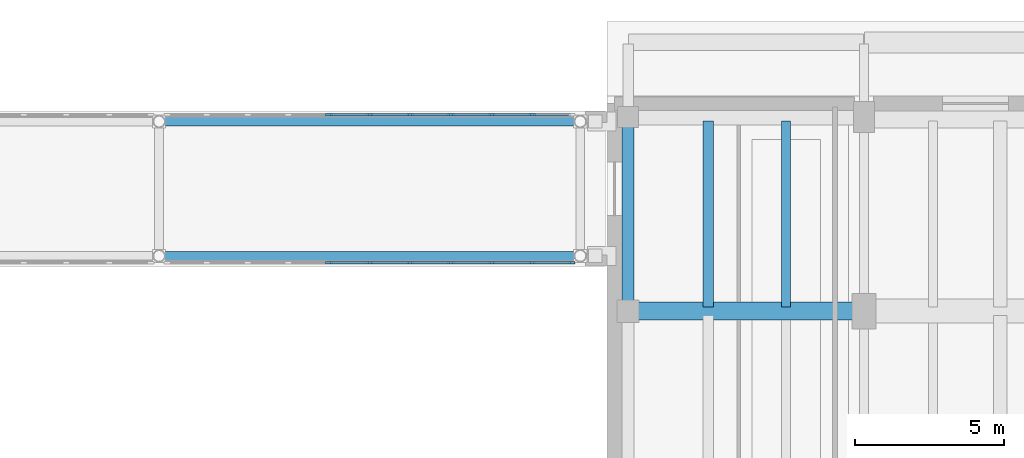
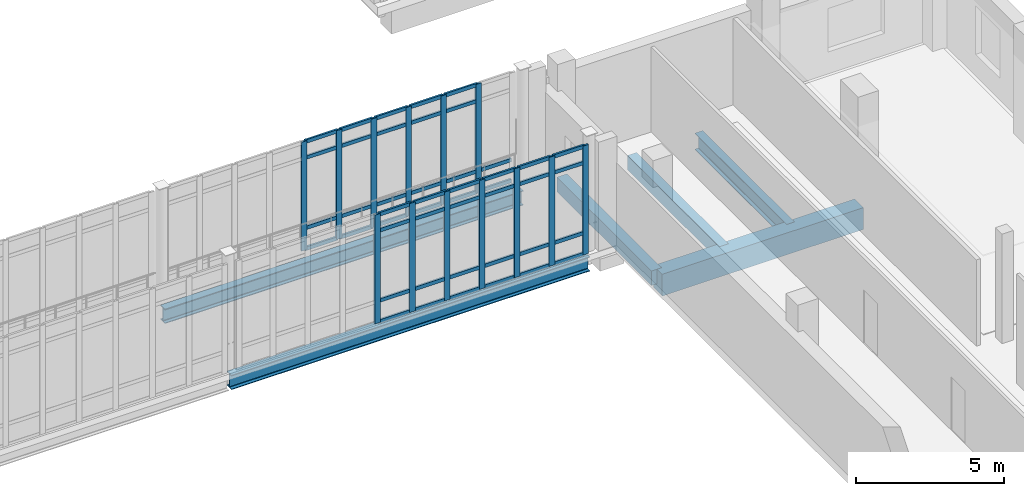
# One storey, part 24 of 89: 59 members, 6 beams, 2 elements without a shape of their own.
"""IFC4 building model written with IfcOpenShell, lengths in metres."""

import ifcopenshell
import ifcopenshell.guid

model = None  # the IFC model being written
_history = None  # IfcOwnerHistory: only IFC2X3 demands one
_inside = {}  # id of a spatial element -> (the spatial element, [elements in it])
_under = {}  # id of a project, library or spatial element -> (it, [spatial elements below it])
_declared = {}  # id of a project -> (the project, [libraries it declares])
_typed = {}  # id of a type object -> (the type object, [elements of that type])
_made_of = {}  # id of a material, layer set ... -> (it, [elements and type objects made of it])


def new_model(schema):
    """Start an empty IFC model of exactly this schema.

    Asked for "IFC4X3", IfcOpenShell would pick the latest addendum, in which some entities
    have other attributes; the version numbers below select the first issue.
    IFC2X3 requires an IfcOwnerHistory on every rooted entity: one is made here for all.
    """
    global model, _history
    if schema == "IFC4X3":
        model = ifcopenshell.file(schema_version=(4, 3, 0, 0))
    else:
        model = ifcopenshell.file(schema=schema)
    _inside.clear()
    _under.clear()
    _declared.clear()
    _typed.clear()
    _made_of.clear()
    _history = None
    if model.schema == "IFC2X3":
        org = make("IfcOrganization", Name="unknown")
        user = make(
            "IfcPersonAndOrganization",
            ThePerson=make("IfcPerson", FamilyName="unknown"),
            TheOrganization=org,
        )
        app = make(
            "IfcApplication",
            ApplicationDeveloper=org,
            Version="unknown",
            ApplicationFullName="unknown",
            ApplicationIdentifier="unknown",
        )
        _history = make(
            "IfcOwnerHistory",
            OwningUser=user,
            OwningApplication=app,
            ChangeAction="ADDED",
            CreationDate=0,
        )
    return model


def make(cls, **values):
    """One entity of the class cls with the attributes given. An attribute that is None is left unset."""
    return model.create_entity(
        cls, **{name: value for name, value in values.items() if value is not None}
    )


def rooted(cls, **values):
    """An entity with a GlobalId (a new one), such as an element, a storey or a relation."""
    return make(cls, GlobalId=ifcopenshell.guid.new(), OwnerHistory=_history, **values)


def si_unit(unit_type, name, prefix=None):
    """IfcSIUnit, for example si_unit("LENGTHUNIT", "METRE", prefix="MILLI")."""
    return make("IfcSIUnit", UnitType=unit_type, Prefix=prefix, Name=name)


def assignment(units):
    """IfcUnitAssignment: the units of a project."""
    return None if units is None else make("IfcUnitAssignment", Units=units)


def point(xyz):
    """IfcCartesianPoint."""
    return None if xyz is None else make("IfcCartesianPoint", Coordinates=xyz)


def direction(xyz):
    """IfcDirection."""
    return None if xyz is None else make("IfcDirection", DirectionRatios=xyz)


def frame(location, z_axis=None, x_axis=None):
    """IfcAxis2Placement3D, a coordinate frame: its origin and axes. An axis left out is left unset."""
    return make(
        "IfcAxis2Placement3D",
        Location=point(location),
        Axis=direction(z_axis),
        RefDirection=direction(x_axis),
    )


def frame_2d(location, x_axis=None):
    """IfcAxis2Placement2D, a coordinate frame in the plane: its origin and x axis."""
    return make(
        "IfcAxis2Placement2D", Location=point(location), RefDirection=direction(x_axis)
    )


def origin():
    """The frame at (0, 0, 0) with its axes left unset."""
    return frame((0.0, 0.0, 0.0))


def origin_2d():
    """The frame at (0, 0) in the plane with its x axis left unset."""
    return frame_2d((0.0, 0.0))


def place(relative_to, where):
    """IfcLocalPlacement: puts the frame where relative to a parent placement (None: the world)."""
    return make(
        "IfcLocalPlacement", PlacementRelTo=relative_to, RelativePlacement=where
    )


def context(
    kind, dimensions, precision=None, world=None, true_north=None, identifier=None
):
    """IfcGeometricRepresentationContext, for example the 3D "Model" context."""
    return make(
        "IfcGeometricRepresentationContext",
        ContextIdentifier=identifier,
        ContextType=kind,
        CoordinateSpaceDimension=dimensions,
        Precision=precision,
        WorldCoordinateSystem=world,
        TrueNorth=true_north,
    )


def subcontext(parent, identifier, kind, view, scale=None):
    """IfcGeometricRepresentationSubContext, for example "Body" below "Model"."""
    return make(
        "IfcGeometricRepresentationSubContext",
        ContextIdentifier=identifier,
        ContextType=kind,
        ParentContext=parent,
        TargetScale=scale,
        TargetView=view,
    )


def project(units=None, contexts=None):
    """IfcProject with its units and contexts."""
    return rooted(
        "IfcProject",
        Name="project",
        RepresentationContexts=contexts,
        UnitsInContext=assignment(units),
    )


def spatial(cls, under=None, at=None, **own):
    """A site, building, storey or space (cls), placed at a placement, below another one or the project."""
    s = rooted(cls, ObjectPlacement=at, **own)
    if under is not None:
        _under.setdefault(under.id(), (under, []))[1].append(s)
    return s


def profile(cls, at=None, kind="AREA", **sizes):
    """A parametric profile (cls). Its sizes go by their IFC names, for example OverallWidth=200.0."""
    return make(cls, ProfileType=kind, Position=at, **sizes)


def rectangle(**sizes):
    """IfcRectangleProfileDef."""
    return profile("IfcRectangleProfileDef", **sizes)


def i_section(**sizes):
    """IfcIShapeProfileDef."""
    return profile("IfcIShapeProfileDef", **sizes)


def extrude(swept, where, along, depth):
    """IfcExtrudedAreaSolid: the profile swept, set in the frame where, extruded along a direction by depth."""
    return make(
        "IfcExtrudedAreaSolid",
        SweptArea=swept,
        Position=where,
        ExtrudedDirection=direction(along),
        Depth=depth,
    )


def shape(context_of_items, identifier, shape_type, items):
    """IfcShapeRepresentation: the items that make up one representation, for example the "Body"."""
    return make(
        "IfcShapeRepresentation",
        ContextOfItems=context_of_items,
        RepresentationIdentifier=identifier,
        RepresentationType=shape_type,
        Items=items,
    )


def material(Name=None, Category=None):
    """IfcMaterial."""
    return make("IfcMaterial", Name=Name, Category=Category)


def material_profile(
    of_material, cross_section, Name=None, Category=None, Priority=None
):
    """IfcMaterialProfile: a cross section and its material."""
    return make(
        "IfcMaterialProfile",
        Name=Name,
        Material=of_material,
        Profile=cross_section,
        Priority=Priority,
        Category=Category,
    )


def profile_set(profiles, Name=None, composite=None):
    """IfcMaterialProfileSet."""
    return make(
        "IfcMaterialProfileSet",
        Name=Name,
        MaterialProfiles=profiles,
        CompositeProfile=composite,
    )


def made_of(thing, what):
    """Note that an element or type object is made of a material, layer set ...; save() writes the relation."""
    if what is not None:
        _made_of.setdefault(what.id(), (what, []))[1].append(thing)
    return thing


def type_object(cls, material=None, **own):
    """A type object (cls), such as IfcWallType, which elements share."""
    return made_of(rooted(cls, **own), material)


def element(
    cls,
    number,
    at=None,
    inside=None,
    cuts=None,
    type_object=None,
    material=None,
    context=None,
    identifier="Body",
    shape_type=None,
    held_by="IfcProductDefinitionShape",
    body=None,
    shapes=None,
    **own,
):
    """One element of the class cls, such as IfcWall. Its Tag is "e" and its number.

    at: its placement. inside: the storey or other place that contains it. cuts: it is an
    opening in that element (IfcRelVoidsElement). A single representation is given by context,
    identifier, shape_type and body (its items); several are given by shapes. held_by: the class
    of the entity that holds the representations. save() writes the other relations.
    """
    e = rooted(cls, Tag="e%d" % number, ObjectPlacement=at, **own)
    if body is not None:
        shapes = [shape(context, identifier, shape_type, body)]
    if shapes is not None:
        e.Representation = make(held_by, Representations=shapes)
    if inside is not None:
        _inside.setdefault(inside.id(), (inside, []))[1].append(e)
    if cuts is not None:
        rooted(
            "IfcRelVoidsElement", RelatingBuildingElement=cuts, RelatedOpeningElement=e
        )
    if type_object is not None:
        _typed.setdefault(type_object.id(), (type_object, []))[1].append(e)
    return made_of(e, material)


def aggregate(whole, parts):
    """IfcRelAggregates: a whole, such as a stair, and the parts it consists of."""
    return rooted("IfcRelAggregates", RelatingObject=whole, RelatedObjects=parts)


def save(model, path):
    """Write the relations noted so far, then the file.

    IfcRelAggregates (storeys below a building ...), IfcRelContainedInSpatialStructure (elements
    in a storey), IfcRelDefinesByType, IfcRelAssociatesMaterial and IfcRelDeclares: one each for
    every whole, place, type object, material and project.
    """
    for whole, parts in _under.values():
        aggregate(whole, parts)
    for where, things in _inside.values():
        rooted(
            "IfcRelContainedInSpatialStructure",
            RelatedElements=things,
            RelatingStructure=where,
        )
    for kind, things in _typed.values():
        rooted("IfcRelDefinesByType", RelatedObjects=things, RelatingType=kind)
    for what, things in _made_of.values():
        rooted("IfcRelAssociatesMaterial", RelatedObjects=things, RelatingMaterial=what)
    for by, libraries in _declared.values():
        rooted("IfcRelDeclares", RelatingContext=by, RelatedDefinitions=libraries)
    model.write(path)


model = new_model("IFC4")

# Units and contexts
model_context = context("Model", 3, precision=1e-05, world=origin(), true_north=direction((0.0, 1.0)))
body_context = subcontext(model_context, "Body", "Model", "MODEL_VIEW")
ifc_project = project(units=[si_unit("LENGTHUNIT", "METRE"), si_unit("AREAUNIT", "SQUARE_METRE"), si_unit("VOLUMEUNIT", "CUBIC_METRE"), si_unit("PLANEANGLEUNIT", "RADIAN"), si_unit("MASSUNIT", "GRAM", prefix="KILO")], contexts=[model_context])

# Site, building, storey
site_placement = place(None, origin())
site = spatial("IfcSite", under=ifc_project, at=site_placement, CompositionType="ELEMENT")
building_placement = place(site_placement, origin())
building = spatial("IfcBuilding", under=site, at=building_placement, Name="Soyqirgoq Riverine Aquarium", CompositionType="ELEMENT")
storey_placement = place(building_placement, frame((0.0, 0.0, 5.39990234375)))
storey = spatial("IfcBuildingStorey", under=building, at=storey_placement, Name="L02", CompositionType="ELEMENT", Elevation=5.39990234375)

# Beams
ifc_material_1 = material(Name="Concrete C40/50", Category="concrete")
ifc_material_profile_1 = material_profile(ifc_material_1, rectangle(XDim=0.35009765625, YDim=0.60009765625, at=origin_2d()), Name="RC 350x600")
ifc_profile_set_1 = profile_set([ifc_material_profile_1], Name="Concrete C40/50")
beam_type_1 = type_object("IfcBeamType", Name="Beam_RC_350x600", PredefinedType="JOIST", material=ifc_profile_set_1)
beam_1_placement = place(storey_placement, frame((117.385986328125, 38.43994140625, -0.64990234375), z_axis=(0.0, 1.0, 0.0), x_axis=(-1.0, 0.0, 0.0)))
element("IfcBeam", 1, at=beam_1_placement, inside=storey, type_object=beam_type_1, Name="V6 L02 Secondary Bay Joist 1150", PredefinedType="JOIST", context=body_context, shape_type="SweptSolid", body=[
    extrude(rectangle(XDim=0.35009765625, YDim=0.60009765625, at=origin_2d()), origin(), (0.0, 0.0, 1.0), 6.219970703125),
])
ifc_material_2 = material(Name="Concrete C40/50", Category="concrete")
ifc_material_profile_2 = material_profile(ifc_material_2, rectangle(XDim=0.39990234375, YDim=0.60009765625, at=origin_2d()), Name="RC 400x600")
ifc_profile_set_2 = profile_set([ifc_material_profile_2], Name="Concrete C40/50")
beam_type_2 = type_object("IfcBeamType", Name="Beam_RC_400x600", PredefinedType="JOIST", material=ifc_profile_set_2)
beam_2_placement = place(storey_placement, frame((114.699951171875, 38.35009765625, -0.64990234375), z_axis=(0.0, 1.0, 0.0), x_axis=(-1.0, 0.0, 0.0)))
element("IfcBeam", 2, at=beam_2_placement, inside=storey, type_object=beam_type_2, Name="V6 L02 North-South Frame Beam 1090", PredefinedType="JOIST", context=body_context, shape_type="SweptSolid", body=[
    extrude(rectangle(XDim=0.39990234375, YDim=0.60009765625, at=origin_2d()), origin(), (0.0, 0.0, 1.0), 6.39990234375),
])

# Curtain wall, members
ifc_material_3 = material(Name="Laminated solar-control bridge curtain wall", Category="aluminium")
curtain_wall_type = type_object("IfcCurtainWallType", Name="CW_Bridge_Concourse", PredefinedType="NOTDEFINED", material=ifc_material_3)
curtain_wall_1_placement = place(storey_placement, origin())
curtain_wall_1 = element("IfcCurtainWall", 3, at=curtain_wall_1_placement, inside=storey, type_object=curtain_wall_type, Name="BR-1 L02 Curtain Wall 137", PredefinedType="NOTDEFINED")
ifc_material_4 = material(Name="Anodised aluminium 6063-T6", Category="aluminium")
ifc_material_profile_3 = material_profile(ifc_material_4, rectangle(XDim=0.080078125, YDim=0.219970703125, at=origin_2d()), Name="ALU-M 80x220")
ifc_profile_set_3 = profile_set([ifc_material_profile_3], Name="Anodised aluminium 6063-T6")
member_type_1 = type_object("IfcMemberType", Name="CWMullion_80x220", PredefinedType="MULLION", material=ifc_profile_set_3)
member_1_placement = place(storey_placement, frame((104.68798828125, 39.919921875, 0.0), z_axis=(0.0, 0.0, 1.0), x_axis=(0.0, 1.0, 0.0)))
member_1 = element("IfcMember", 4, at=member_1_placement, type_object=member_type_1, Name="CW-06 mullion 5", PredefinedType="MULLION", context=body_context, shape_type="SweptSolid", body=[
    extrude(rectangle(XDim=0.080078125, YDim=0.219970703125, at=origin_2d()), origin(), (0.0, 0.0, 1.0), 4.5),
])
member_2_placement = place(storey_placement, frame((106.050048828125, 39.919921875, 0.0), z_axis=(0.0, 0.0, 1.0), x_axis=(0.0, 1.0, 0.0)))
member_2 = element("IfcMember", 5, at=member_2_placement, type_object=member_type_1, Name="CW-06 mullion 6", PredefinedType="MULLION", context=body_context, shape_type="SweptSolid", body=[
    extrude(rectangle(XDim=0.080078125, YDim=0.219970703125, at=origin_2d()), origin(), (0.0, 0.0, 1.0), 4.5),
])
member_3_placement = place(storey_placement, frame((107.412109375, 39.919921875, 0.0), z_axis=(0.0, 0.0, 1.0), x_axis=(0.0, 1.0, 0.0)))
member_3 = element("IfcMember", 6, at=member_3_placement, type_object=member_type_1, Name="CW-06 mullion 7", PredefinedType="MULLION", context=body_context, shape_type="SweptSolid", body=[
    extrude(rectangle(XDim=0.080078125, YDim=0.219970703125, at=origin_2d()), origin(), (0.0, 0.0, 1.0), 4.5),
])
member_4_placement = place(storey_placement, frame((108.77392578125, 39.919921875, 0.0), z_axis=(0.0, 0.0, 1.0), x_axis=(0.0, 1.0, 0.0)))
member_4 = element("IfcMember", 7, at=member_4_placement, type_object=member_type_1, Name="CW-06 mullion 8", PredefinedType="MULLION", context=body_context, shape_type="SweptSolid", body=[
    extrude(rectangle(XDim=0.080078125, YDim=0.219970703125, at=origin_2d()), origin(), (0.0, 0.0, 1.0), 4.5),
])
member_5_placement = place(storey_placement, frame((110.135986328125, 39.919921875, 0.0), z_axis=(0.0, 0.0, 1.0), x_axis=(0.0, 1.0, 0.0)))
member_5 = element("IfcMember", 8, at=member_5_placement, type_object=member_type_1, Name="CW-06 mullion 9", PredefinedType="MULLION", context=body_context, shape_type="SweptSolid", body=[
    extrude(rectangle(XDim=0.080078125, YDim=0.219970703125, at=origin_2d()), origin(), (0.0, 0.0, 1.0), 4.5),
])
member_6_placement = place(storey_placement, frame((111.498046875, 39.919921875, 0.0), z_axis=(0.0, 0.0, 1.0), x_axis=(0.0, 1.0, 0.0)))
member_6 = element("IfcMember", 9, at=member_6_placement, type_object=member_type_1, Name="CW-06 mullion 10", PredefinedType="MULLION", context=body_context, shape_type="SweptSolid", body=[
    extrude(rectangle(XDim=0.080078125, YDim=0.219970703125, at=origin_2d()), origin(), (0.0, 0.0, 1.0), 4.5),
])
member_7_placement = place(storey_placement, frame((112.820068359375, 39.919921875, 0.0), z_axis=(0.0, 0.0, 1.0), x_axis=(0.0, 1.0, 0.0)))
member_7 = element("IfcMember", 10, at=member_7_placement, type_object=member_type_1, Name="CW-06 mullion 11", PredefinedType="MULLION", context=body_context, shape_type="SweptSolid", body=[
    extrude(rectangle(XDim=0.080078125, YDim=0.219970703125, at=origin_2d()), origin(), (0.0, 0.0, 1.0), 4.5),
])

curtain_wall_2_placement = place(storey_placement, origin())
curtain_wall_2 = element("IfcCurtainWall", 11, at=curtain_wall_2_placement, inside=storey, type_object=curtain_wall_type, Name="BR-1 L02 Curtain Wall 140", PredefinedType="NOTDEFINED")
member_8_placement = place(storey_placement, frame((104.68798828125, 44.8798828125, 0.0), z_axis=(0.0, 0.0, 1.0), x_axis=(0.0, 1.0, 0.0)))
member_8 = element("IfcMember", 12, at=member_8_placement, type_object=member_type_1, Name="CW-06 mullion 5", PredefinedType="MULLION", context=body_context, shape_type="SweptSolid", body=[
    extrude(rectangle(XDim=0.080078125, YDim=0.219970703125, at=origin_2d()), origin(), (0.0, 0.0, 1.0), 4.5),
])
member_9_placement = place(storey_placement, frame((106.050048828125, 44.8798828125, 0.0), z_axis=(0.0, 0.0, 1.0), x_axis=(0.0, 1.0, 0.0)))
member_9 = element("IfcMember", 13, at=member_9_placement, type_object=member_type_1, Name="CW-06 mullion 6", PredefinedType="MULLION", context=body_context, shape_type="SweptSolid", body=[
    extrude(rectangle(XDim=0.080078125, YDim=0.219970703125, at=origin_2d()), origin(), (0.0, 0.0, 1.0), 4.5),
])
member_10_placement = place(storey_placement, frame((107.412109375, 44.8798828125, 0.0), z_axis=(0.0, 0.0, 1.0), x_axis=(0.0, 1.0, 0.0)))
member_10 = element("IfcMember", 14, at=member_10_placement, type_object=member_type_1, Name="CW-06 mullion 7", PredefinedType="MULLION", context=body_context, shape_type="SweptSolid", body=[
    extrude(rectangle(XDim=0.080078125, YDim=0.219970703125, at=origin_2d()), origin(), (0.0, 0.0, 1.0), 4.5),
])
member_11_placement = place(storey_placement, frame((108.77392578125, 44.8798828125, 0.0), z_axis=(0.0, 0.0, 1.0), x_axis=(0.0, 1.0, 0.0)))
member_11 = element("IfcMember", 15, at=member_11_placement, type_object=member_type_1, Name="CW-06 mullion 8", PredefinedType="MULLION", context=body_context, shape_type="SweptSolid", body=[
    extrude(rectangle(XDim=0.080078125, YDim=0.219970703125, at=origin_2d()), origin(), (0.0, 0.0, 1.0), 4.5),
])
member_12_placement = place(storey_placement, frame((110.135986328125, 44.8798828125, 0.0), z_axis=(0.0, 0.0, 1.0), x_axis=(0.0, 1.0, 0.0)))
member_12 = element("IfcMember", 16, at=member_12_placement, type_object=member_type_1, Name="CW-06 mullion 9", PredefinedType="MULLION", context=body_context, shape_type="SweptSolid", body=[
    extrude(rectangle(XDim=0.080078125, YDim=0.219970703125, at=origin_2d()), origin(), (0.0, 0.0, 1.0), 4.5),
])
member_13_placement = place(storey_placement, frame((111.498046875, 44.8798828125, 0.0), z_axis=(0.0, 0.0, 1.0), x_axis=(0.0, 1.0, 0.0)))
member_13 = element("IfcMember", 17, at=member_13_placement, type_object=member_type_1, Name="CW-06 mullion 10", PredefinedType="MULLION", context=body_context, shape_type="SweptSolid", body=[
    extrude(rectangle(XDim=0.080078125, YDim=0.219970703125, at=origin_2d()), origin(), (0.0, 0.0, 1.0), 4.5),
])

# Member
ifc_material_5 = material(Name="Anodised aluminium 6063-T6", Category="aluminium")
ifc_material_profile_4 = material_profile(ifc_material_5, rectangle(XDim=0.074951171875, YDim=0.14990234375, at=origin_2d()), Name="ALU-T 75x150")
ifc_profile_set_4 = profile_set([ifc_material_profile_4], Name="Anodised aluminium 6063-T6")
member_type_2 = type_object("IfcMemberType", Name="CWTransom_75x150", PredefinedType="USERDEFINED", material=ifc_profile_set_4)
member_14_placement = place(storey_placement, frame((104.72802734375, 39.919921875, 0.03759765625), z_axis=(1.0, 0.0, 0.0), x_axis=(0.0, 1.0, 0.0)))
member_14 = element("IfcMember", 18, at=member_14_placement, type_object=member_type_2, Name="CW-06 transom 5.1", ObjectType="TRANSOM", PredefinedType="USERDEFINED", context=body_context, shape_type="SweptSolid", body=[
    extrude(rectangle(XDim=0.074951171875, YDim=0.14990234375, at=origin_2d()), origin(), (0.0, 0.0, 1.0), 1.281982421875),
])

member_15_placement = place(storey_placement, frame((104.72802734375, 39.919921875, 0.900146484375), z_axis=(1.0, 0.0, 0.0), x_axis=(0.0, 1.0, 0.0)))
member_15 = element("IfcMember", 19, at=member_15_placement, type_object=member_type_2, Name="CW-06 transom 5.2", ObjectType="TRANSOM", PredefinedType="USERDEFINED", context=body_context, shape_type="SweptSolid", body=[
    extrude(rectangle(XDim=0.074951171875, YDim=0.14990234375, at=origin_2d()), origin(), (0.0, 0.0, 1.0), 1.281982421875),
])

member_16_placement = place(storey_placement, frame((104.72802734375, 39.919921875, 3.800048828125), z_axis=(1.0, 0.0, 0.0), x_axis=(0.0, 1.0, 0.0)))
member_16 = element("IfcMember", 20, at=member_16_placement, type_object=member_type_2, Name="CW-06 transom 5.3", ObjectType="TRANSOM", PredefinedType="USERDEFINED", context=body_context, shape_type="SweptSolid", body=[
    extrude(rectangle(XDim=0.074951171875, YDim=0.14990234375, at=origin_2d()), origin(), (0.0, 0.0, 1.0), 1.281982421875),
])

member_17_placement = place(storey_placement, frame((104.72802734375, 39.919921875, 4.462646484375), z_axis=(1.0, 0.0, 0.0), x_axis=(0.0, 1.0, 0.0)))
member_17 = element("IfcMember", 21, at=member_17_placement, type_object=member_type_2, Name="CW-06 transom 5.4", ObjectType="TRANSOM", PredefinedType="USERDEFINED", context=body_context, shape_type="SweptSolid", body=[
    extrude(rectangle(XDim=0.074951171875, YDim=0.14990234375, at=origin_2d()), origin(), (0.0, 0.0, 1.0), 1.281982421875),
])

member_18_placement = place(storey_placement, frame((106.090087890625, 39.919921875, 0.03759765625), z_axis=(1.0, 0.0, 0.0), x_axis=(0.0, 1.0, 0.0)))
member_18 = element("IfcMember", 22, at=member_18_placement, type_object=member_type_2, Name="CW-06 transom 6.1", ObjectType="TRANSOM", PredefinedType="USERDEFINED", context=body_context, shape_type="SweptSolid", body=[
    extrude(rectangle(XDim=0.074951171875, YDim=0.14990234375, at=origin_2d()), origin(), (0.0, 0.0, 1.0), 1.281982421875),
])

member_19_placement = place(storey_placement, frame((106.090087890625, 39.919921875, 0.900146484375), z_axis=(1.0, 0.0, 0.0), x_axis=(0.0, 1.0, 0.0)))
member_19 = element("IfcMember", 23, at=member_19_placement, type_object=member_type_2, Name="CW-06 transom 6.2", ObjectType="TRANSOM", PredefinedType="USERDEFINED", context=body_context, shape_type="SweptSolid", body=[
    extrude(rectangle(XDim=0.074951171875, YDim=0.14990234375, at=origin_2d()), origin(), (0.0, 0.0, 1.0), 1.281982421875),
])

member_20_placement = place(storey_placement, frame((106.090087890625, 39.919921875, 3.800048828125), z_axis=(1.0, 0.0, 0.0), x_axis=(0.0, 1.0, 0.0)))
member_20 = element("IfcMember", 24, at=member_20_placement, type_object=member_type_2, Name="CW-06 transom 6.3", ObjectType="TRANSOM", PredefinedType="USERDEFINED", context=body_context, shape_type="SweptSolid", body=[
    extrude(rectangle(XDim=0.074951171875, YDim=0.14990234375, at=origin_2d()), origin(), (0.0, 0.0, 1.0), 1.281982421875),
])

member_21_placement = place(storey_placement, frame((106.090087890625, 39.919921875, 4.462646484375), z_axis=(1.0, 0.0, 0.0), x_axis=(0.0, 1.0, 0.0)))
member_21 = element("IfcMember", 25, at=member_21_placement, type_object=member_type_2, Name="CW-06 transom 6.4", ObjectType="TRANSOM", PredefinedType="USERDEFINED", context=body_context, shape_type="SweptSolid", body=[
    extrude(rectangle(XDim=0.074951171875, YDim=0.14990234375, at=origin_2d()), origin(), (0.0, 0.0, 1.0), 1.281982421875),
])

member_22_placement = place(storey_placement, frame((107.451904296875, 39.919921875, 0.03759765625), z_axis=(1.0, 0.0, 0.0), x_axis=(0.0, 1.0, 0.0)))
member_22 = element("IfcMember", 26, at=member_22_placement, type_object=member_type_2, Name="CW-06 transom 7.1", ObjectType="TRANSOM", PredefinedType="USERDEFINED", context=body_context, shape_type="SweptSolid", body=[
    extrude(rectangle(XDim=0.074951171875, YDim=0.14990234375, at=origin_2d()), origin(), (0.0, 0.0, 1.0), 1.281982421875),
])

member_23_placement = place(storey_placement, frame((107.451904296875, 39.919921875, 0.900146484375), z_axis=(1.0, 0.0, 0.0), x_axis=(0.0, 1.0, 0.0)))
member_23 = element("IfcMember", 27, at=member_23_placement, type_object=member_type_2, Name="CW-06 transom 7.2", ObjectType="TRANSOM", PredefinedType="USERDEFINED", context=body_context, shape_type="SweptSolid", body=[
    extrude(rectangle(XDim=0.074951171875, YDim=0.14990234375, at=origin_2d()), origin(), (0.0, 0.0, 1.0), 1.281982421875),
])

member_24_placement = place(storey_placement, frame((107.451904296875, 39.919921875, 3.800048828125), z_axis=(1.0, 0.0, 0.0), x_axis=(0.0, 1.0, 0.0)))
member_24 = element("IfcMember", 28, at=member_24_placement, type_object=member_type_2, Name="CW-06 transom 7.3", ObjectType="TRANSOM", PredefinedType="USERDEFINED", context=body_context, shape_type="SweptSolid", body=[
    extrude(rectangle(XDim=0.074951171875, YDim=0.14990234375, at=origin_2d()), origin(), (0.0, 0.0, 1.0), 1.281982421875),
])

member_25_placement = place(storey_placement, frame((107.451904296875, 39.919921875, 4.462646484375), z_axis=(1.0, 0.0, 0.0), x_axis=(0.0, 1.0, 0.0)))
member_25 = element("IfcMember", 29, at=member_25_placement, type_object=member_type_2, Name="CW-06 transom 7.4", ObjectType="TRANSOM", PredefinedType="USERDEFINED", context=body_context, shape_type="SweptSolid", body=[
    extrude(rectangle(XDim=0.074951171875, YDim=0.14990234375, at=origin_2d()), origin(), (0.0, 0.0, 1.0), 1.281982421875),
])

member_26_placement = place(storey_placement, frame((108.81396484375, 39.919921875, 0.03759765625), z_axis=(1.0, 0.0, 0.0), x_axis=(0.0, 1.0, 0.0)))
member_26 = element("IfcMember", 30, at=member_26_placement, type_object=member_type_2, Name="CW-06 transom 8.1", ObjectType="TRANSOM", PredefinedType="USERDEFINED", context=body_context, shape_type="SweptSolid", body=[
    extrude(rectangle(XDim=0.074951171875, YDim=0.14990234375, at=origin_2d()), origin(), (0.0, 0.0, 1.0), 1.281982421875),
])

member_27_placement = place(storey_placement, frame((108.81396484375, 39.919921875, 0.900146484375), z_axis=(1.0, 0.0, 0.0), x_axis=(0.0, 1.0, 0.0)))
member_27 = element("IfcMember", 31, at=member_27_placement, type_object=member_type_2, Name="CW-06 transom 8.2", ObjectType="TRANSOM", PredefinedType="USERDEFINED", context=body_context, shape_type="SweptSolid", body=[
    extrude(rectangle(XDim=0.074951171875, YDim=0.14990234375, at=origin_2d()), origin(), (0.0, 0.0, 1.0), 1.281982421875),
])

member_28_placement = place(storey_placement, frame((108.81396484375, 39.919921875, 3.800048828125), z_axis=(1.0, 0.0, 0.0), x_axis=(0.0, 1.0, 0.0)))
member_28 = element("IfcMember", 32, at=member_28_placement, type_object=member_type_2, Name="CW-06 transom 8.3", ObjectType="TRANSOM", PredefinedType="USERDEFINED", context=body_context, shape_type="SweptSolid", body=[
    extrude(rectangle(XDim=0.074951171875, YDim=0.14990234375, at=origin_2d()), origin(), (0.0, 0.0, 1.0), 1.281982421875),
])

member_29_placement = place(storey_placement, frame((108.81396484375, 39.919921875, 4.462646484375), z_axis=(1.0, 0.0, 0.0), x_axis=(0.0, 1.0, 0.0)))
member_29 = element("IfcMember", 33, at=member_29_placement, type_object=member_type_2, Name="CW-06 transom 8.4", ObjectType="TRANSOM", PredefinedType="USERDEFINED", context=body_context, shape_type="SweptSolid", body=[
    extrude(rectangle(XDim=0.074951171875, YDim=0.14990234375, at=origin_2d()), origin(), (0.0, 0.0, 1.0), 1.281982421875),
])

member_30_placement = place(storey_placement, frame((110.176025390625, 39.919921875, 0.03759765625), z_axis=(1.0, 0.0, 0.0), x_axis=(0.0, 1.0, 0.0)))
member_30 = element("IfcMember", 34, at=member_30_placement, type_object=member_type_2, Name="CW-06 transom 9.1", ObjectType="TRANSOM", PredefinedType="USERDEFINED", context=body_context, shape_type="SweptSolid", body=[
    extrude(rectangle(XDim=0.074951171875, YDim=0.14990234375, at=origin_2d()), origin(), (0.0, 0.0, 1.0), 1.281982421875),
])

member_31_placement = place(storey_placement, frame((110.176025390625, 39.919921875, 0.900146484375), z_axis=(1.0, 0.0, 0.0), x_axis=(0.0, 1.0, 0.0)))
member_31 = element("IfcMember", 35, at=member_31_placement, type_object=member_type_2, Name="CW-06 transom 9.2", ObjectType="TRANSOM", PredefinedType="USERDEFINED", context=body_context, shape_type="SweptSolid", body=[
    extrude(rectangle(XDim=0.074951171875, YDim=0.14990234375, at=origin_2d()), origin(), (0.0, 0.0, 1.0), 1.281982421875),
])

member_32_placement = place(storey_placement, frame((110.176025390625, 39.919921875, 3.800048828125), z_axis=(1.0, 0.0, 0.0), x_axis=(0.0, 1.0, 0.0)))
member_32 = element("IfcMember", 36, at=member_32_placement, type_object=member_type_2, Name="CW-06 transom 9.3", ObjectType="TRANSOM", PredefinedType="USERDEFINED", context=body_context, shape_type="SweptSolid", body=[
    extrude(rectangle(XDim=0.074951171875, YDim=0.14990234375, at=origin_2d()), origin(), (0.0, 0.0, 1.0), 1.281982421875),
])

member_33_placement = place(storey_placement, frame((110.176025390625, 39.919921875, 4.462646484375), z_axis=(1.0, 0.0, 0.0), x_axis=(0.0, 1.0, 0.0)))
member_33 = element("IfcMember", 37, at=member_33_placement, type_object=member_type_2, Name="CW-06 transom 9.4", ObjectType="TRANSOM", PredefinedType="USERDEFINED", context=body_context, shape_type="SweptSolid", body=[
    extrude(rectangle(XDim=0.074951171875, YDim=0.14990234375, at=origin_2d()), origin(), (0.0, 0.0, 1.0), 1.281982421875),
])

member_34_placement = place(storey_placement, frame((111.5380859375, 39.919921875, 0.03759765625), z_axis=(1.0, 0.0, 0.0), x_axis=(0.0, 1.0, 0.0)))
member_34 = element("IfcMember", 38, at=member_34_placement, type_object=member_type_2, Name="CW-06 transom 10.1", ObjectType="TRANSOM", PredefinedType="USERDEFINED", context=body_context, shape_type="SweptSolid", body=[
    extrude(rectangle(XDim=0.074951171875, YDim=0.14990234375, at=origin_2d()), origin(), (0.0, 0.0, 1.0), 1.241943359375),
])

member_35_placement = place(storey_placement, frame((111.5380859375, 39.919921875, 0.900146484375), z_axis=(1.0, 0.0, 0.0), x_axis=(0.0, 1.0, 0.0)))
member_35 = element("IfcMember", 39, at=member_35_placement, type_object=member_type_2, Name="CW-06 transom 10.2", ObjectType="TRANSOM", PredefinedType="USERDEFINED", context=body_context, shape_type="SweptSolid", body=[
    extrude(rectangle(XDim=0.074951171875, YDim=0.14990234375, at=origin_2d()), origin(), (0.0, 0.0, 1.0), 1.241943359375),
])

member_36_placement = place(storey_placement, frame((111.5380859375, 39.919921875, 3.800048828125), z_axis=(1.0, 0.0, 0.0), x_axis=(0.0, 1.0, 0.0)))
member_36 = element("IfcMember", 40, at=member_36_placement, type_object=member_type_2, Name="CW-06 transom 10.3", ObjectType="TRANSOM", PredefinedType="USERDEFINED", context=body_context, shape_type="SweptSolid", body=[
    extrude(rectangle(XDim=0.074951171875, YDim=0.14990234375, at=origin_2d()), origin(), (0.0, 0.0, 1.0), 1.241943359375),
])

member_37_placement = place(storey_placement, frame((111.5380859375, 39.919921875, 4.462646484375), z_axis=(1.0, 0.0, 0.0), x_axis=(0.0, 1.0, 0.0)))
member_37 = element("IfcMember", 41, at=member_37_placement, type_object=member_type_2, Name="CW-06 transom 10.4", ObjectType="TRANSOM", PredefinedType="USERDEFINED", context=body_context, shape_type="SweptSolid", body=[
    extrude(rectangle(XDim=0.074951171875, YDim=0.14990234375, at=origin_2d()), origin(), (0.0, 0.0, 1.0), 1.241943359375),
])

aggregate(curtain_wall_1, [member_1, member_2, member_3, member_4, member_5, member_6, member_7, member_14, member_15, member_16, member_17, member_18, member_19, member_20, member_21, member_22, member_23, member_24, member_25, member_26, member_27, member_28, member_29, member_30, member_31, member_32, member_33, member_34, member_35, member_36, member_37])

member_38_placement = place(storey_placement, frame((104.72802734375, 44.8798828125, 0.03759765625), z_axis=(1.0, 0.0, 0.0), x_axis=(0.0, 1.0, 0.0)))
member_38 = element("IfcMember", 42, at=member_38_placement, type_object=member_type_2, Name="CW-06 transom 5.1", ObjectType="TRANSOM", PredefinedType="USERDEFINED", context=body_context, shape_type="SweptSolid", body=[
    extrude(rectangle(XDim=0.074951171875, YDim=0.14990234375, at=origin_2d()), origin(), (0.0, 0.0, 1.0), 1.281982421875),
])

member_39_placement = place(storey_placement, frame((104.72802734375, 44.8798828125, 0.900146484375), z_axis=(1.0, 0.0, 0.0), x_axis=(0.0, 1.0, 0.0)))
member_39 = element("IfcMember", 43, at=member_39_placement, type_object=member_type_2, Name="CW-06 transom 5.2", ObjectType="TRANSOM", PredefinedType="USERDEFINED", context=body_context, shape_type="SweptSolid", body=[
    extrude(rectangle(XDim=0.074951171875, YDim=0.14990234375, at=origin_2d()), origin(), (0.0, 0.0, 1.0), 1.281982421875),
])

member_40_placement = place(storey_placement, frame((104.72802734375, 44.8798828125, 3.800048828125), z_axis=(1.0, 0.0, 0.0), x_axis=(0.0, 1.0, 0.0)))
member_40 = element("IfcMember", 44, at=member_40_placement, type_object=member_type_2, Name="CW-06 transom 5.3", ObjectType="TRANSOM", PredefinedType="USERDEFINED", context=body_context, shape_type="SweptSolid", body=[
    extrude(rectangle(XDim=0.074951171875, YDim=0.14990234375, at=origin_2d()), origin(), (0.0, 0.0, 1.0), 1.281982421875),
])

member_41_placement = place(storey_placement, frame((104.72802734375, 44.8798828125, 4.462646484375), z_axis=(1.0, 0.0, 0.0), x_axis=(0.0, 1.0, 0.0)))
member_41 = element("IfcMember", 45, at=member_41_placement, type_object=member_type_2, Name="CW-06 transom 5.4", ObjectType="TRANSOM", PredefinedType="USERDEFINED", context=body_context, shape_type="SweptSolid", body=[
    extrude(rectangle(XDim=0.074951171875, YDim=0.14990234375, at=origin_2d()), origin(), (0.0, 0.0, 1.0), 1.281982421875),
])

member_42_placement = place(storey_placement, frame((106.090087890625, 44.8798828125, 0.03759765625), z_axis=(1.0, 0.0, 0.0), x_axis=(0.0, 1.0, 0.0)))
member_42 = element("IfcMember", 46, at=member_42_placement, type_object=member_type_2, Name="CW-06 transom 6.1", ObjectType="TRANSOM", PredefinedType="USERDEFINED", context=body_context, shape_type="SweptSolid", body=[
    extrude(rectangle(XDim=0.074951171875, YDim=0.14990234375, at=origin_2d()), origin(), (0.0, 0.0, 1.0), 1.281982421875),
])

member_43_placement = place(storey_placement, frame((106.090087890625, 44.8798828125, 0.900146484375), z_axis=(1.0, 0.0, 0.0), x_axis=(0.0, 1.0, 0.0)))
member_43 = element("IfcMember", 47, at=member_43_placement, type_object=member_type_2, Name="CW-06 transom 6.2", ObjectType="TRANSOM", PredefinedType="USERDEFINED", context=body_context, shape_type="SweptSolid", body=[
    extrude(rectangle(XDim=0.074951171875, YDim=0.14990234375, at=origin_2d()), origin(), (0.0, 0.0, 1.0), 1.281982421875),
])

member_44_placement = place(storey_placement, frame((106.090087890625, 44.8798828125, 3.800048828125), z_axis=(1.0, 0.0, 0.0), x_axis=(0.0, 1.0, 0.0)))
member_44 = element("IfcMember", 48, at=member_44_placement, type_object=member_type_2, Name="CW-06 transom 6.3", ObjectType="TRANSOM", PredefinedType="USERDEFINED", context=body_context, shape_type="SweptSolid", body=[
    extrude(rectangle(XDim=0.074951171875, YDim=0.14990234375, at=origin_2d()), origin(), (0.0, 0.0, 1.0), 1.281982421875),
])

member_45_placement = place(storey_placement, frame((106.090087890625, 44.8798828125, 4.462646484375), z_axis=(1.0, 0.0, 0.0), x_axis=(0.0, 1.0, 0.0)))
member_45 = element("IfcMember", 49, at=member_45_placement, type_object=member_type_2, Name="CW-06 transom 6.4", ObjectType="TRANSOM", PredefinedType="USERDEFINED", context=body_context, shape_type="SweptSolid", body=[
    extrude(rectangle(XDim=0.074951171875, YDim=0.14990234375, at=origin_2d()), origin(), (0.0, 0.0, 1.0), 1.281982421875),
])

member_46_placement = place(storey_placement, frame((107.451904296875, 44.8798828125, 0.03759765625), z_axis=(1.0, 0.0, 0.0), x_axis=(0.0, 1.0, 0.0)))
member_46 = element("IfcMember", 50, at=member_46_placement, type_object=member_type_2, Name="CW-06 transom 7.1", ObjectType="TRANSOM", PredefinedType="USERDEFINED", context=body_context, shape_type="SweptSolid", body=[
    extrude(rectangle(XDim=0.074951171875, YDim=0.14990234375, at=origin_2d()), origin(), (0.0, 0.0, 1.0), 1.281982421875),
])

member_47_placement = place(storey_placement, frame((107.451904296875, 44.8798828125, 0.900146484375), z_axis=(1.0, 0.0, 0.0), x_axis=(0.0, 1.0, 0.0)))
member_47 = element("IfcMember", 51, at=member_47_placement, type_object=member_type_2, Name="CW-06 transom 7.2", ObjectType="TRANSOM", PredefinedType="USERDEFINED", context=body_context, shape_type="SweptSolid", body=[
    extrude(rectangle(XDim=0.074951171875, YDim=0.14990234375, at=origin_2d()), origin(), (0.0, 0.0, 1.0), 1.281982421875),
])

member_48_placement = place(storey_placement, frame((107.451904296875, 44.8798828125, 3.800048828125), z_axis=(1.0, 0.0, 0.0), x_axis=(0.0, 1.0, 0.0)))
member_48 = element("IfcMember", 52, at=member_48_placement, type_object=member_type_2, Name="CW-06 transom 7.3", ObjectType="TRANSOM", PredefinedType="USERDEFINED", context=body_context, shape_type="SweptSolid", body=[
    extrude(rectangle(XDim=0.074951171875, YDim=0.14990234375, at=origin_2d()), origin(), (0.0, 0.0, 1.0), 1.281982421875),
])

member_49_placement = place(storey_placement, frame((107.451904296875, 44.8798828125, 4.462646484375), z_axis=(1.0, 0.0, 0.0), x_axis=(0.0, 1.0, 0.0)))
member_49 = element("IfcMember", 53, at=member_49_placement, type_object=member_type_2, Name="CW-06 transom 7.4", ObjectType="TRANSOM", PredefinedType="USERDEFINED", context=body_context, shape_type="SweptSolid", body=[
    extrude(rectangle(XDim=0.074951171875, YDim=0.14990234375, at=origin_2d()), origin(), (0.0, 0.0, 1.0), 1.281982421875),
])

member_50_placement = place(storey_placement, frame((108.81396484375, 44.8798828125, 0.03759765625), z_axis=(1.0, 0.0, 0.0), x_axis=(0.0, 1.0, 0.0)))
member_50 = element("IfcMember", 54, at=member_50_placement, type_object=member_type_2, Name="CW-06 transom 8.1", ObjectType="TRANSOM", PredefinedType="USERDEFINED", context=body_context, shape_type="SweptSolid", body=[
    extrude(rectangle(XDim=0.074951171875, YDim=0.14990234375, at=origin_2d()), origin(), (0.0, 0.0, 1.0), 1.281982421875),
])

member_51_placement = place(storey_placement, frame((108.81396484375, 44.8798828125, 0.900146484375), z_axis=(1.0, 0.0, 0.0), x_axis=(0.0, 1.0, 0.0)))
member_51 = element("IfcMember", 55, at=member_51_placement, type_object=member_type_2, Name="CW-06 transom 8.2", ObjectType="TRANSOM", PredefinedType="USERDEFINED", context=body_context, shape_type="SweptSolid", body=[
    extrude(rectangle(XDim=0.074951171875, YDim=0.14990234375, at=origin_2d()), origin(), (0.0, 0.0, 1.0), 1.281982421875),
])

member_52_placement = place(storey_placement, frame((108.81396484375, 44.8798828125, 3.800048828125), z_axis=(1.0, 0.0, 0.0), x_axis=(0.0, 1.0, 0.0)))
member_52 = element("IfcMember", 56, at=member_52_placement, type_object=member_type_2, Name="CW-06 transom 8.3", ObjectType="TRANSOM", PredefinedType="USERDEFINED", context=body_context, shape_type="SweptSolid", body=[
    extrude(rectangle(XDim=0.074951171875, YDim=0.14990234375, at=origin_2d()), origin(), (0.0, 0.0, 1.0), 1.281982421875),
])

member_53_placement = place(storey_placement, frame((108.81396484375, 44.8798828125, 4.462646484375), z_axis=(1.0, 0.0, 0.0), x_axis=(0.0, 1.0, 0.0)))
member_53 = element("IfcMember", 57, at=member_53_placement, type_object=member_type_2, Name="CW-06 transom 8.4", ObjectType="TRANSOM", PredefinedType="USERDEFINED", context=body_context, shape_type="SweptSolid", body=[
    extrude(rectangle(XDim=0.074951171875, YDim=0.14990234375, at=origin_2d()), origin(), (0.0, 0.0, 1.0), 1.281982421875),
])

member_54_placement = place(storey_placement, frame((110.176025390625, 44.8798828125, 0.03759765625), z_axis=(1.0, 0.0, 0.0), x_axis=(0.0, 1.0, 0.0)))
member_54 = element("IfcMember", 58, at=member_54_placement, type_object=member_type_2, Name="CW-06 transom 9.1", ObjectType="TRANSOM", PredefinedType="USERDEFINED", context=body_context, shape_type="SweptSolid", body=[
    extrude(rectangle(XDim=0.074951171875, YDim=0.14990234375, at=origin_2d()), origin(), (0.0, 0.0, 1.0), 1.281982421875),
])

member_55_placement = place(storey_placement, frame((110.176025390625, 44.8798828125, 0.900146484375), z_axis=(1.0, 0.0, 0.0), x_axis=(0.0, 1.0, 0.0)))
member_55 = element("IfcMember", 59, at=member_55_placement, type_object=member_type_2, Name="CW-06 transom 9.2", ObjectType="TRANSOM", PredefinedType="USERDEFINED", context=body_context, shape_type="SweptSolid", body=[
    extrude(rectangle(XDim=0.074951171875, YDim=0.14990234375, at=origin_2d()), origin(), (0.0, 0.0, 1.0), 1.281982421875),
])

member_56_placement = place(storey_placement, frame((110.176025390625, 44.8798828125, 3.800048828125), z_axis=(1.0, 0.0, 0.0), x_axis=(0.0, 1.0, 0.0)))
member_56 = element("IfcMember", 60, at=member_56_placement, type_object=member_type_2, Name="CW-06 transom 9.3", ObjectType="TRANSOM", PredefinedType="USERDEFINED", context=body_context, shape_type="SweptSolid", body=[
    extrude(rectangle(XDim=0.074951171875, YDim=0.14990234375, at=origin_2d()), origin(), (0.0, 0.0, 1.0), 1.281982421875),
])

member_57_placement = place(storey_placement, frame((110.176025390625, 44.8798828125, 4.462646484375), z_axis=(1.0, 0.0, 0.0), x_axis=(0.0, 1.0, 0.0)))
member_57 = element("IfcMember", 61, at=member_57_placement, type_object=member_type_2, Name="CW-06 transom 9.4", ObjectType="TRANSOM", PredefinedType="USERDEFINED", context=body_context, shape_type="SweptSolid", body=[
    extrude(rectangle(XDim=0.074951171875, YDim=0.14990234375, at=origin_2d()), origin(), (0.0, 0.0, 1.0), 1.281982421875),
])

member_58_placement = place(storey_placement, frame((111.5380859375, 44.8798828125, 0.03759765625), z_axis=(1.0, 0.0, 0.0), x_axis=(0.0, 1.0, 0.0)))
member_58 = element("IfcMember", 62, at=member_58_placement, type_object=member_type_2, Name="CW-06 transom 10.1", ObjectType="TRANSOM", PredefinedType="USERDEFINED", context=body_context, shape_type="SweptSolid", body=[
    extrude(rectangle(XDim=0.074951171875, YDim=0.14990234375, at=origin_2d()), origin(), (0.0, 0.0, 1.0), 1.241943359375),
])

member_59_placement = place(storey_placement, frame((111.5380859375, 44.8798828125, 0.900146484375), z_axis=(1.0, 0.0, 0.0), x_axis=(0.0, 1.0, 0.0)))
member_59 = element("IfcMember", 63, at=member_59_placement, type_object=member_type_2, Name="CW-06 transom 10.2", ObjectType="TRANSOM", PredefinedType="USERDEFINED", context=body_context, shape_type="SweptSolid", body=[
    extrude(rectangle(XDim=0.074951171875, YDim=0.14990234375, at=origin_2d()), origin(), (0.0, 0.0, 1.0), 1.241943359375),
])

aggregate(curtain_wall_2, [member_8, member_9, member_10, member_11, member_12, member_13, member_38, member_39, member_40, member_41, member_42, member_43, member_44, member_45, member_46, member_47, member_48, member_49, member_50, member_51, member_52, member_53, member_54, member_55, member_56, member_57, member_58, member_59])

# Beams
ifc_material_6 = material(Name="Concrete C40/50", Category="concrete")
ifc_material_profile_5 = material_profile(ifc_material_6, rectangle(XDim=0.60009765625, YDim=0.89990234375, at=origin_2d()), Name="RC 600x900")
ifc_profile_set_5 = profile_set([ifc_material_profile_5], Name="Concrete C40/50")
beam_type_3 = type_object("IfcBeamType", Name="Girder_RC_600x900", PredefinedType="BEAM", material=ifc_profile_set_5)
beam_3_placement = place(storey_placement, frame((114.719970703125, 38.300048828125, -0.7998046875), z_axis=(1.0, 0.0, 0.0), x_axis=(0.0, 1.0, 0.0)))
element("IfcBeam", 64, at=beam_3_placement, inside=storey, type_object=beam_type_3, Name="V6 L02 East-West Frame Girder 1091", PredefinedType="BEAM", context=body_context, shape_type="SweptSolid", body=[
    extrude(rectangle(XDim=0.60009765625, YDim=0.89990234375, at=origin_2d()), origin(), (0.0, 0.0, 1.0), 7.860107421875),
])
ifc_material_7 = material(Name="Structural steel S355", Category="steel")
ifc_material_profile_6 = material_profile(ifc_material_7, i_section(OverallWidth=0.300048828125, OverallDepth=0.68994140625, WebThickness=0.014404296875, FlangeThickness=0.027099609375, FilletRadius=0.027099609375, at=origin_2d()), Name="HEA 700")
ifc_profile_set_6 = profile_set([ifc_material_profile_6], Name="Structural steel S355")
beam_type_4 = type_object("IfcBeamType", Name="SteelBeam_HEA700", PredefinedType="BEAM", material=ifc_profile_set_6)
beam_4_placement = place(storey_placement, frame((119.992919921875, 38.43994140625, -0.69482421875), z_axis=(0.0, 1.0, 0.0), x_axis=(-1.0, 0.0, 0.0)))
element("IfcBeam", 65, at=beam_4_placement, inside=storey, type_object=beam_type_4, Name="V6 L02 Secondary Bay Joist 1151", PredefinedType="BEAM", context=body_context, shape_type="SweptSolid", body=[
    extrude(i_section(OverallWidth=0.300048828125, OverallDepth=0.68994140625, WebThickness=0.014404296875, FlangeThickness=0.027099609375, FilletRadius=0.027099609375, at=origin_2d()), origin(), (0.0, 0.0, 1.0), 6.219970703125),
])
ifc_material_8 = material(Name="Structural steel S355", Category="steel")
ifc_material_profile_7 = material_profile(ifc_material_8, i_section(OverallWidth=0.300048828125, OverallDepth=0.60009765625, WebThickness=0.015380859375, FlangeThickness=0.030029296875, FilletRadius=0.027099609375, at=origin_2d()), Name="HEB 600")
ifc_profile_set_7 = profile_set([ifc_material_profile_7], Name="Structural steel S355")
beam_type_5 = type_object("IfcBeamType", Name="SteelGirder_HEB600", PredefinedType="BEAM", material=ifc_profile_set_7)
for number, where, z_axis, x_axis, name in (
    (66, (99.050048828125, 40.14990234375, -0.5498046875), (1.0, 0.0, 0.0), (0.0, 1.0, 0.0), "BR-1 L02 Bridge Deck Longitudinal Girder 1431"),
    (67, (99.050048828125, 44.64990234375, -0.5498046875), (1.0, 0.0, 0.0), (0.0, 1.0, 0.0), "BR-1 L02 Bridge Deck Longitudinal Girder 1437"),
):
    element("IfcBeam", number, at=place(storey_placement, frame(where, z_axis=z_axis, x_axis=x_axis)), inside=storey, type_object=beam_type_5, Name=name, PredefinedType="BEAM", context=body_context, shape_type="SweptSolid", body=[
        extrude(i_section(OverallWidth=0.300048828125, OverallDepth=0.60009765625, WebThickness=0.015380859375, FlangeThickness=0.030029296875, FilletRadius=0.027099609375, at=origin_2d()), origin(), (0.0, 0.0, 1.0), 14.0),
    ])

save(model, "model.ifc")
